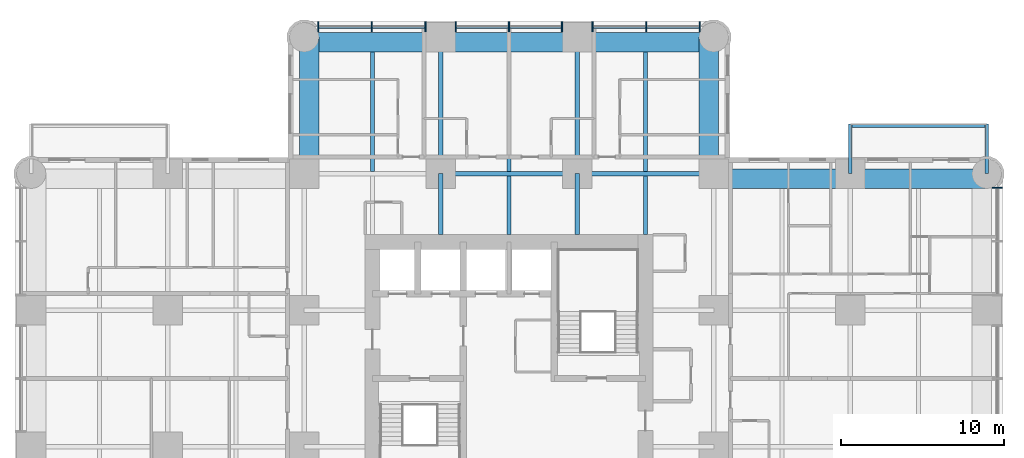
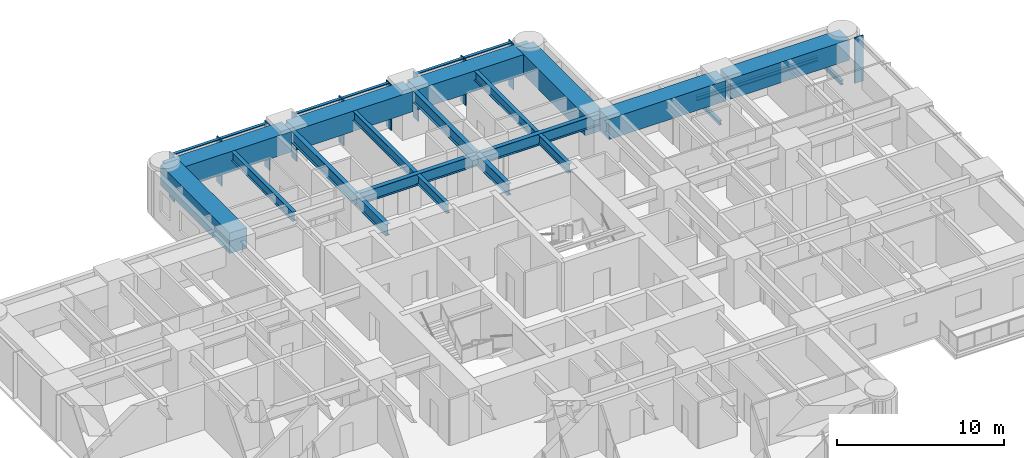
# One storey, part 4 of 14: 21 beams, 16 members, 2 elements without a shape of their own.
"""IFC4 building model written with IfcOpenShell, lengths in metres."""

from ifc_helpers import new_model, si_unit, direction, frame, origin, origin_2d, place, context, subcontext, project, spatial, rectangle, i_section, extrude, material, material_profile, profile_set, type_object, element, aggregate, save


model = new_model("IFC4")

# Units and contexts
model_context = context("Model", 3, precision=1e-05, world=origin(), true_north=direction((0.0, 1.0)))
body_context = subcontext(model_context, "Body", "Model", "MODEL_VIEW")
ifc_project = project(units=[si_unit("LENGTHUNIT", "METRE"), si_unit("AREAUNIT", "SQUARE_METRE"), si_unit("VOLUMEUNIT", "CUBIC_METRE"), si_unit("PLANEANGLEUNIT", "RADIAN"), si_unit("MASSUNIT", "GRAM", prefix="KILO")], contexts=[model_context])

# Site, building, storey
site_placement = place(None, origin())
site = spatial("IfcSite", under=ifc_project, at=site_placement, CompositionType="ELEMENT")
building_placement = place(site_placement, origin())
building = spatial("IfcBuilding", under=site, at=building_placement, Name="Torre Alcanfor", CompositionType="ELEMENT")
storey_placement = place(building_placement, frame((0.0, 0.0, 173.699951171875)))
storey = spatial("IfcBuildingStorey", under=building, at=storey_placement, Name="L45", CompositionType="ELEMENT", Elevation=173.699951171875)

# Beams
ifc_material_1 = material(Name="Steel ASTM A992 Grade 50", Category="steel")
ifc_material_profile_1 = material_profile(ifc_material_1, i_section(OverallWidth=0.205322265625, OverallDepth=0.309814453125, WebThickness=0.00927734375, FlangeThickness=0.016357421875, at=origin_2d()), Name="W12x50")
ifc_profile_set_1 = profile_set([ifc_material_profile_1], Name="Steel ASTM A992 Grade 50")
beam_type_1 = type_object("IfcBeamType", Name="Balcony cantilever beam W12x50", PredefinedType="BEAM", material=ifc_profile_set_1)
for number, where, z_axis, x_axis, name in (
    (1, (50.39990234375, 42.0, -0.35498046875), (0.0, 1.0, 0.0), (-1.0, 0.0, 0.0), "Balcony cantilever beam L45-E1 1"),
    (2, (58.800048828125, 42.0, -0.35498046875), (0.0, 1.0, 0.0), (-1.0, 0.0, 0.0), "Balcony cantilever beam L45-E1 2"),
):
    element("IfcBeam", number, at=place(storey_placement, frame(where, z_axis=z_axis, x_axis=x_axis)), inside=storey, type_object=beam_type_1, Name=name, PredefinedType="BEAM", context=body_context, shape_type="SweptSolid", body=[
        extrude(i_section(OverallWidth=0.205322265625, OverallDepth=0.309814453125, WebThickness=0.00927734375, FlangeThickness=0.016357421875, at=origin_2d()), origin(), (0.0, 0.0, 1.0), 3.050048828125),
    ])
ifc_material_2 = material(Name="Steel ASTM A992 Grade 50", Category="steel")
ifc_material_profile_2 = material_profile(ifc_material_2, i_section(OverallWidth=0.203369140625, OverallDepth=0.30224609375, WebThickness=0.007568359375, FlangeThickness=0.01318359375, at=origin_2d()), Name="W12x40")
ifc_profile_set_2 = profile_set([ifc_material_profile_2], Name="Steel ASTM A992 Grade 50")
beam_type_2 = type_object("IfcBeamType", Name="Balcony edge trimmer W12x40", PredefinedType="BEAM", material=ifc_profile_set_2)
beam_1_placement = place(storey_placement, frame((50.39990234375, 44.9482421875, -0.35107421875), z_axis=(1.0, 0.0, 0.0), x_axis=(0.0, 1.0, 0.0)))
element("IfcBeam", 3, at=beam_1_placement, inside=storey, type_object=beam_type_2, Name="Balcony edge trimmer L45-E1", PredefinedType="BEAM", context=body_context, shape_type="SweptSolid", body=[
    extrude(i_section(OverallWidth=0.203369140625, OverallDepth=0.30224609375, WebThickness=0.007568359375, FlangeThickness=0.01318359375, at=origin_2d()), origin(), (0.0, 0.0, 1.0), 8.400146484375),
])

# Curtain wall, member
ifc_material_3 = material(Name="Aluminium and glass", Category="aluminium")
curtain_wall_type = type_object("IfcCurtainWallType", Name="CW-A unitised apartment glazing with vertical FIN", PredefinedType="NOTDEFINED", material=ifc_material_3)
curtain_wall_1_placement = place(storey_placement, origin())
curtain_wall_1 = element("IfcCurtainWall", 4, at=curtain_wall_1_placement, inside=storey, type_object=curtain_wall_type, Name="Curtain wall CW-A L45 8", PredefinedType="NOTDEFINED")
ifc_material_4 = material(Name="Bronze anodised aluminium", Category="aluminium")
ifc_material_profile_3 = material_profile(ifc_material_4, rectangle(XDim=0.60009765625, YDim=0.06494140625, at=origin_2d()), Name="CW-A mullion 65x600")
ifc_profile_set_3 = profile_set([ifc_material_profile_3], Name="Bronze anodised aluminium")
member_type_1 = type_object("IfcMemberType", Name="CW-A mullion with vertical FIN 65x600", PredefinedType="MULLION", material=ifc_profile_set_3)
member_1_placement = place(storey_placement, frame((59.449951171875, 41.133056640625, 0.0), z_axis=(0.0, 0.0, 1.0), x_axis=(-1.0, 0.0, 0.0)))
member_1 = element("IfcMember", 5, at=member_1_placement, type_object=member_type_1, Name="CW-A mullion 3.3", PredefinedType="MULLION", context=body_context, shape_type="SweptSolid", body=[
    extrude(rectangle(XDim=0.60009765625, YDim=0.06494140625, at=origin_2d()), origin(), (0.0, 0.0, 1.0), 3.35009765625),
])
aggregate(curtain_wall_1, [member_1])

# Curtain wall, members
curtain_wall_2_placement = place(storey_placement, origin())
curtain_wall_2 = element("IfcCurtainWall", 6, at=curtain_wall_2_placement, inside=storey, type_object=curtain_wall_type, Name="Curtain wall CW-A L45 11", PredefinedType="NOTDEFINED")
member_2_placement = place(storey_placement, frame((41.133056640625, 51.050048828125, 0.0), z_axis=(0.0, 0.0, 1.0), x_axis=(0.0, -1.0, 0.0)))
member_2 = element("IfcMember", 7, at=member_2_placement, type_object=member_type_1, Name="CW-A mullion 1.1", PredefinedType="MULLION", context=body_context, shape_type="SweptSolid", body=[
    extrude(rectangle(XDim=0.60009765625, YDim=0.06494140625, at=origin_2d()), origin(), (0.0, 0.0, 1.0), 3.35009765625),
])
member_3_placement = place(storey_placement, frame((37.835205078125, 51.050048828125, 0.0), z_axis=(0.0, 0.0, 1.0), x_axis=(0.0, -1.0, 0.0)))
member_3 = element("IfcMember", 8, at=member_3_placement, type_object=member_type_1, Name="CW-A mullion 1.2", PredefinedType="MULLION", context=body_context, shape_type="SweptSolid", body=[
    extrude(rectangle(XDim=0.60009765625, YDim=0.06494140625, at=origin_2d()), origin(), (0.0, 0.0, 1.0), 3.35009765625),
])
member_4_placement = place(storey_placement, frame((34.53759765625, 51.050048828125, 0.0), z_axis=(0.0, 0.0, 1.0), x_axis=(0.0, -1.0, 0.0)))
member_4 = element("IfcMember", 9, at=member_4_placement, type_object=member_type_1, Name="CW-A mullion 1.3", PredefinedType="MULLION", context=body_context, shape_type="SweptSolid", body=[
    extrude(rectangle(XDim=0.60009765625, YDim=0.06494140625, at=origin_2d()), origin(), (0.0, 0.0, 1.0), 3.35009765625),
])
member_5_placement = place(storey_placement, frame((32.66259765625, 51.050048828125, 0.0), z_axis=(0.0, 0.0, 1.0), x_axis=(0.0, -1.0, 0.0)))
member_5 = element("IfcMember", 10, at=member_5_placement, type_object=member_type_1, Name="CW-A mullion 2.1", PredefinedType="MULLION", context=body_context, shape_type="SweptSolid", body=[
    extrude(rectangle(XDim=0.60009765625, YDim=0.06494140625, at=origin_2d()), origin(), (0.0, 0.0, 1.0), 3.35009765625),
])
member_6_placement = place(storey_placement, frame((29.39990234375, 51.050048828125, 0.0), z_axis=(0.0, 0.0, 1.0), x_axis=(0.0, -1.0, 0.0)))
member_6 = element("IfcMember", 11, at=member_6_placement, type_object=member_type_1, Name="CW-A mullion 2.2", PredefinedType="MULLION", context=body_context, shape_type="SweptSolid", body=[
    extrude(rectangle(XDim=0.60009765625, YDim=0.06494140625, at=origin_2d()), origin(), (0.0, 0.0, 1.0), 3.35009765625),
])
member_7_placement = place(storey_placement, frame((26.137451171875, 51.050048828125, 0.0), z_axis=(0.0, 0.0, 1.0), x_axis=(0.0, -1.0, 0.0)))
member_7 = element("IfcMember", 12, at=member_7_placement, type_object=member_type_1, Name="CW-A mullion 2.3", PredefinedType="MULLION", context=body_context, shape_type="SweptSolid", body=[
    extrude(rectangle(XDim=0.60009765625, YDim=0.06494140625, at=origin_2d()), origin(), (0.0, 0.0, 1.0), 3.35009765625),
])
member_8_placement = place(storey_placement, frame((24.262451171875, 51.050048828125, 0.0), z_axis=(0.0, 0.0, 1.0), x_axis=(0.0, -1.0, 0.0)))
member_8 = element("IfcMember", 13, at=member_8_placement, type_object=member_type_1, Name="CW-A mullion 3.1", PredefinedType="MULLION", context=body_context, shape_type="SweptSolid", body=[
    extrude(rectangle(XDim=0.60009765625, YDim=0.06494140625, at=origin_2d()), origin(), (0.0, 0.0, 1.0), 3.35009765625),
])
member_9_placement = place(storey_placement, frame((20.96484375, 51.050048828125, 0.0), z_axis=(0.0, 0.0, 1.0), x_axis=(0.0, -1.0, 0.0)))
member_9 = element("IfcMember", 14, at=member_9_placement, type_object=member_type_1, Name="CW-A mullion 3.2", PredefinedType="MULLION", context=body_context, shape_type="SweptSolid", body=[
    extrude(rectangle(XDim=0.60009765625, YDim=0.06494140625, at=origin_2d()), origin(), (0.0, 0.0, 1.0), 3.35009765625),
])
member_10_placement = place(storey_placement, frame((17.6669921875, 51.050048828125, 0.0), z_axis=(0.0, 0.0, 1.0), x_axis=(0.0, -1.0, 0.0)))
member_10 = element("IfcMember", 15, at=member_10_placement, type_object=member_type_1, Name="CW-A mullion 3.3", PredefinedType="MULLION", context=body_context, shape_type="SweptSolid", body=[
    extrude(rectangle(XDim=0.60009765625, YDim=0.06494140625, at=origin_2d()), origin(), (0.0, 0.0, 1.0), 3.35009765625),
])
ifc_material_5 = material(Name="Extruded aluminium", Category="aluminium")
ifc_material_profile_4 = material_profile(ifc_material_5, rectangle(XDim=0.199951171875, YDim=0.06494140625, at=origin_2d()), Name="CW-A transom 200x65")
ifc_profile_set_4 = profile_set([ifc_material_profile_4], Name="Extruded aluminium")
member_type_2 = type_object("IfcMemberType", Name="CW-A transom 65x200", PredefinedType="USERDEFINED", material=ifc_profile_set_4)
member_11_placement = place(storey_placement, frame((41.1005859375, 51.050048828125, 3.317626953125), z_axis=(-1.0, 0.0, 0.0), x_axis=(0.0, -1.0, 0.0)))
member_11 = element("IfcMember", 16, at=member_11_placement, type_object=member_type_2, Name="CW-A transom 1.1.2", ObjectType="TRANSOM", PredefinedType="USERDEFINED", context=body_context, shape_type="SweptSolid", body=[
    extrude(rectangle(XDim=0.199951171875, YDim=0.06494140625, at=origin_2d()), origin(), (0.0, 0.0, 1.0), 3.23291015625),
])
member_12_placement = place(storey_placement, frame((37.802734375, 51.050048828125, 3.317626953125), z_axis=(-1.0, 0.0, 0.0), x_axis=(0.0, -1.0, 0.0)))
member_12 = element("IfcMember", 17, at=member_12_placement, type_object=member_type_2, Name="CW-A transom 1.2.2", ObjectType="TRANSOM", PredefinedType="USERDEFINED", context=body_context, shape_type="SweptSolid", body=[
    extrude(rectangle(XDim=0.199951171875, YDim=0.06494140625, at=origin_2d()), origin(), (0.0, 0.0, 1.0), 3.232666015625),
])
member_13_placement = place(storey_placement, frame((32.6298828125, 51.050048828125, 3.317626953125), z_axis=(-1.0, 0.0, 0.0), x_axis=(0.0, -1.0, 0.0)))
member_13 = element("IfcMember", 18, at=member_13_placement, type_object=member_type_2, Name="CW-A transom 2.1.2", ObjectType="TRANSOM", PredefinedType="USERDEFINED", context=body_context, shape_type="SweptSolid", body=[
    extrude(rectangle(XDim=0.199951171875, YDim=0.06494140625, at=origin_2d()), origin(), (0.0, 0.0, 1.0), 3.197265625),
])
member_14_placement = place(storey_placement, frame((29.367431640625, 51.050048828125, 3.317626953125), z_axis=(-1.0, 0.0, 0.0), x_axis=(0.0, -1.0, 0.0)))
member_14 = element("IfcMember", 19, at=member_14_placement, type_object=member_type_2, Name="CW-A transom 2.2.2", ObjectType="TRANSOM", PredefinedType="USERDEFINED", context=body_context, shape_type="SweptSolid", body=[
    extrude(rectangle(XDim=0.199951171875, YDim=0.06494140625, at=origin_2d()), origin(), (0.0, 0.0, 1.0), 3.197509765625),
])
member_15_placement = place(storey_placement, frame((24.22998046875, 51.050048828125, 3.317626953125), z_axis=(-1.0, 0.0, 0.0), x_axis=(0.0, -1.0, 0.0)))
member_15 = element("IfcMember", 20, at=member_15_placement, type_object=member_type_2, Name="CW-A transom 3.1.2", ObjectType="TRANSOM", PredefinedType="USERDEFINED", context=body_context, shape_type="SweptSolid", body=[
    extrude(rectangle(XDim=0.199951171875, YDim=0.06494140625, at=origin_2d()), origin(), (0.0, 0.0, 1.0), 3.232666015625),
])
member_16_placement = place(storey_placement, frame((20.93212890625, 51.050048828125, 3.317626953125), z_axis=(-1.0, 0.0, 0.0), x_axis=(0.0, -1.0, 0.0)))
member_16 = element("IfcMember", 21, at=member_16_placement, type_object=member_type_2, Name="CW-A transom 3.2.2", ObjectType="TRANSOM", PredefinedType="USERDEFINED", context=body_context, shape_type="SweptSolid", body=[
    extrude(rectangle(XDim=0.199951171875, YDim=0.06494140625, at=origin_2d()), origin(), (0.0, 0.0, 1.0), 3.232666015625),
])
aggregate(curtain_wall_2, [member_2, member_3, member_4, member_11, member_12, member_5, member_6, member_7, member_13, member_14, member_8, member_9, member_10, member_15, member_16])

# Beams
ifc_material_6 = material(Name="Steel ASTM A992 Grade 50", Category="steel")
ifc_material_profile_5 = material_profile(ifc_material_6, i_section(OverallWidth=0.2919921875, OverallDepth=0.8408203125, WebThickness=0.0146484375, FlangeThickness=0.021728515625, at=origin_2d()), Name="W33x130")
ifc_profile_set_5 = profile_set([ifc_material_profile_5], Name="Steel ASTM A992 Grade 50")
beam_type_3 = type_object("IfcBeamType", Name="Girder W33x130", PredefinedType="BEAM", material=ifc_profile_set_5)
beam_2_placement = place(storey_placement, frame((25.199951171875, 42.0, 2.9296875), z_axis=(1.0, 0.0, 0.0), x_axis=(0.0, 1.0, 0.0)))
element("IfcBeam", 22, at=beam_2_placement, inside=storey, type_object=beam_type_3, Name="Beam 4H-5H under L46", PredefinedType="BEAM", context=body_context, shape_type="SweptSolid", body=[
    extrude(i_section(OverallWidth=0.2919921875, OverallDepth=0.8408203125, WebThickness=0.0146484375, FlangeThickness=0.021728515625, at=origin_2d()), origin(), (0.0, 0.0, 1.0), 8.400146484375),
])
for number, where, z_axis, x_axis, name in (
    (23, (33.60009765625, 42.0, 2.9296875), (1.0, 0.0, 0.0), (0.0, 1.0, 0.0), "Beam 5H-6H under L46"),
    (24, (25.199951171875, 42.0, 2.9296875), (0.0, 1.0, 0.0), (-1.0, 0.0, 0.0), "Beam 4H-4J under L46"),
    (25, (33.60009765625, 42.0, 2.9296875), (0.0, 1.0, 0.0), (-1.0, 0.0, 0.0), "Beam 5H-5J under L46"),
):
    element("IfcBeam", number, at=place(storey_placement, frame(where, z_axis=z_axis, x_axis=x_axis)), inside=storey, type_object=beam_type_3, Name=name, PredefinedType="BEAM", context=body_context, shape_type="SweptSolid", body=[
        extrude(i_section(OverallWidth=0.2919921875, OverallDepth=0.8408203125, WebThickness=0.0146484375, FlangeThickness=0.021728515625, at=origin_2d()), origin(), (0.0, 0.0, 1.0), 8.39990234375),
    ])
ifc_material_7 = material(Name="Steel ASTM A992 Grade 50", Category="steel")
ifc_material_profile_6 = material_profile(ifc_material_7, i_section(OverallWidth=0.2919921875, OverallDepth=0.8408203125, WebThickness=0.0146484375, FlangeThickness=0.021728515625, at=origin_2d()), Name="W33x130")
ifc_profile_set_6 = profile_set([ifc_material_profile_6], Name="Steel ASTM A992 Grade 50")
beam_type_4 = type_object("IfcBeamType", Name="Girder, part bay W33x130", PredefinedType="BEAM", material=ifc_profile_set_6)
for number, where, z_axis, x_axis, name in (
    (26, (25.199951171875, 42.0, 2.9296875), (0.0, -1.0, 0.0), (1.0, 0.0, 0.0), "Beam 4H-438_25 under L46"),
    (27, (33.60009765625, 42.0, 2.9296875), (0.0, -1.0, 0.0), (1.0, 0.0, 0.0), "Beam 5H-538_25 under L46"),
):
    element("IfcBeam", number, at=place(storey_placement, frame(where, z_axis=z_axis, x_axis=x_axis)), inside=storey, type_object=beam_type_4, Name=name, PredefinedType="BEAM", context=body_context, shape_type="SweptSolid", body=[
        extrude(i_section(OverallWidth=0.2919921875, OverallDepth=0.8408203125, WebThickness=0.0146484375, FlangeThickness=0.021728515625, at=origin_2d()), origin(), (0.0, 0.0, 1.0), 3.75),
    ])
ifc_material_8 = material(Name="Concrete f'c 70 MPa", Category="concrete")
ifc_material_profile_7 = material_profile(ifc_material_8, rectangle(XDim=1.199951171875, YDim=1.5, at=origin_2d()), Name="1200x1500")
ifc_profile_set_7 = profile_set([ifc_material_profile_7], Name="Concrete f'c 70 MPa")
beam_type_5 = type_object("IfcBeamType", Name="RC perimeter beam 1200x1500", PredefinedType="BEAM", material=ifc_profile_set_7)
beam_3_placement = place(storey_placement, frame((42.14599609375, 41.699951171875, 2.60009765625), z_axis=(1.0, 0.0, 0.0), x_axis=(0.0, 1.0, 0.0)))
element("IfcBeam", 28, at=beam_3_placement, inside=storey, type_object=beam_type_5, Name="Beam 6H-7H under L46", PredefinedType="BEAM", context=body_context, shape_type="SweptSolid", body=[
    extrude(rectangle(XDim=1.199951171875, YDim=1.5, at=origin_2d()), origin(), (0.0, 0.0, 1.0), 8.10791015625),
])
beam_4_placement = place(storey_placement, frame((50.5458984375, 41.699951171875, 2.60009765625), z_axis=(1.0, 0.0, 0.0), x_axis=(0.0, 1.0, 0.0)))
element("IfcBeam", 29, at=beam_4_placement, inside=storey, type_object=beam_type_5, Name="Beam 7H-8H under L46", PredefinedType="BEAM", context=body_context, shape_type="SweptSolid", body=[
    extrude(rectangle(XDim=1.199951171875, YDim=1.5, at=origin_2d()), origin(), (0.0, 0.0, 1.0), 8.254150390625),
])
beam_5_placement = place(storey_placement, frame((16.800048828125, 50.10009765625, 2.60009765625), z_axis=(1.0, 0.0, 0.0), x_axis=(0.0, 1.0, 0.0)))
element("IfcBeam", 30, at=beam_5_placement, inside=storey, type_object=beam_type_5, Name="Beam 3J-4J under L46", PredefinedType="BEAM", context=body_context, shape_type="SweptSolid", body=[
    extrude(rectangle(XDim=1.199951171875, YDim=1.5, at=origin_2d()), origin(), (0.0, 0.0, 1.0), 8.25390625),
])
beam_6_placement = place(storey_placement, frame((25.345947265625, 50.10009765625, 2.60009765625), z_axis=(1.0, 0.0, 0.0), x_axis=(0.0, 1.0, 0.0)))
element("IfcBeam", 31, at=beam_6_placement, inside=storey, type_object=beam_type_5, Name="Beam 4J-5J under L46", PredefinedType="BEAM", context=body_context, shape_type="SweptSolid", body=[
    extrude(rectangle(XDim=1.199951171875, YDim=1.5, at=origin_2d()), origin(), (0.0, 0.0, 1.0), 8.108154296875),
])
for number, where, z_axis, x_axis, name in (
    (32, (33.74609375, 50.10009765625, 2.60009765625), (1.0, 0.0, 0.0), (0.0, 1.0, 0.0), "Beam 5J-6J under L46"),
    (33, (17.10009765625, 42.14599609375, 2.60009765625), (0.0, 1.0, 0.0), (-1.0, 0.0, 0.0), "Beam 3H-3J under L46"),
    (34, (41.699951171875, 42.14599609375, 2.60009765625), (0.0, 1.0, 0.0), (-1.0, 0.0, 0.0), "Beam 6H-6J under L46"),
):
    element("IfcBeam", number, at=place(storey_placement, frame(where, z_axis=z_axis, x_axis=x_axis)), inside=storey, type_object=beam_type_5, Name=name, PredefinedType="BEAM", context=body_context, shape_type="SweptSolid", body=[
        extrude(rectangle(XDim=1.199951171875, YDim=1.5, at=origin_2d()), origin(), (0.0, 0.0, 1.0), 8.25390625),
    ])
ifc_material_9 = material(Name="Steel ASTM A992 Grade 50", Category="steel")
ifc_material_profile_8 = material_profile(ifc_material_9, i_section(OverallWidth=0.25390625, OverallDepth=0.683349609375, WebThickness=0.012451171875, FlangeThickness=0.01904296875, at=origin_2d()), Name="W27x94")
ifc_profile_set_8 = profile_set([ifc_material_profile_8], Name="Steel ASTM A992 Grade 50")
beam_type_6 = type_object("IfcBeamType", Name="Secondary beam W27x94", PredefinedType="BEAM", material=ifc_profile_set_8)
for number, where, z_axis, x_axis, name in (
    (35, (21.0, 42.14599609375, 3.00830078125), (0.0, 1.0, 0.0), (-1.0, 0.0, 0.0), "Beam 21H-21J under L46"),
    (36, (29.39990234375, 42.14599609375, 3.00830078125), (0.0, 1.0, 0.0), (-1.0, 0.0, 0.0), "Beam 29_4H-29_4J under L46"),
    (37, (37.800048828125, 42.14599609375, 3.00830078125), (0.0, 1.0, 0.0), (-1.0, 0.0, 0.0), "Beam 37_8H-37_8J under L46"),
):
    element("IfcBeam", number, at=place(storey_placement, frame(where, z_axis=z_axis, x_axis=x_axis)), inside=storey, type_object=beam_type_6, Name=name, PredefinedType="BEAM", context=body_context, shape_type="SweptSolid", body=[
        extrude(i_section(OverallWidth=0.25390625, OverallDepth=0.683349609375, WebThickness=0.012451171875, FlangeThickness=0.01904296875, at=origin_2d()), origin(), (0.0, 0.0, 1.0), 7.35400390625),
    ])
ifc_material_10 = material(Name="Steel ASTM A992 Grade 50", Category="steel")
ifc_material_profile_9 = material_profile(ifc_material_10, i_section(OverallWidth=0.25390625, OverallDepth=0.683349609375, WebThickness=0.012451171875, FlangeThickness=0.01904296875, at=origin_2d()), Name="W27x94")
ifc_profile_set_9 = profile_set([ifc_material_profile_9], Name="Steel ASTM A992 Grade 50")
beam_type_7 = type_object("IfcBeamType", Name="Secondary beam, part bay W27x94", PredefinedType="BEAM", material=ifc_profile_set_9)
for number, where, z_axis, x_axis, name in (
    (38, (29.39990234375, 38.25, 3.00830078125), (0.0, 1.0, 0.0), (-1.0, 0.0, 0.0), "Beam 29_438_25-29_4H under L46"),
    (39, (37.800048828125, 38.25, 3.00830078125), (0.0, 1.0, 0.0), (-1.0, 0.0, 0.0), "Beam 37_838_25-37_8H under L46"),
):
    element("IfcBeam", number, at=place(storey_placement, frame(where, z_axis=z_axis, x_axis=x_axis)), inside=storey, type_object=beam_type_7, Name=name, PredefinedType="BEAM", context=body_context, shape_type="SweptSolid", body=[
        extrude(i_section(OverallWidth=0.25390625, OverallDepth=0.683349609375, WebThickness=0.012451171875, FlangeThickness=0.01904296875, at=origin_2d()), origin(), (0.0, 0.0, 1.0), 3.60400390625),
    ])

save(model, "model.ifc")
